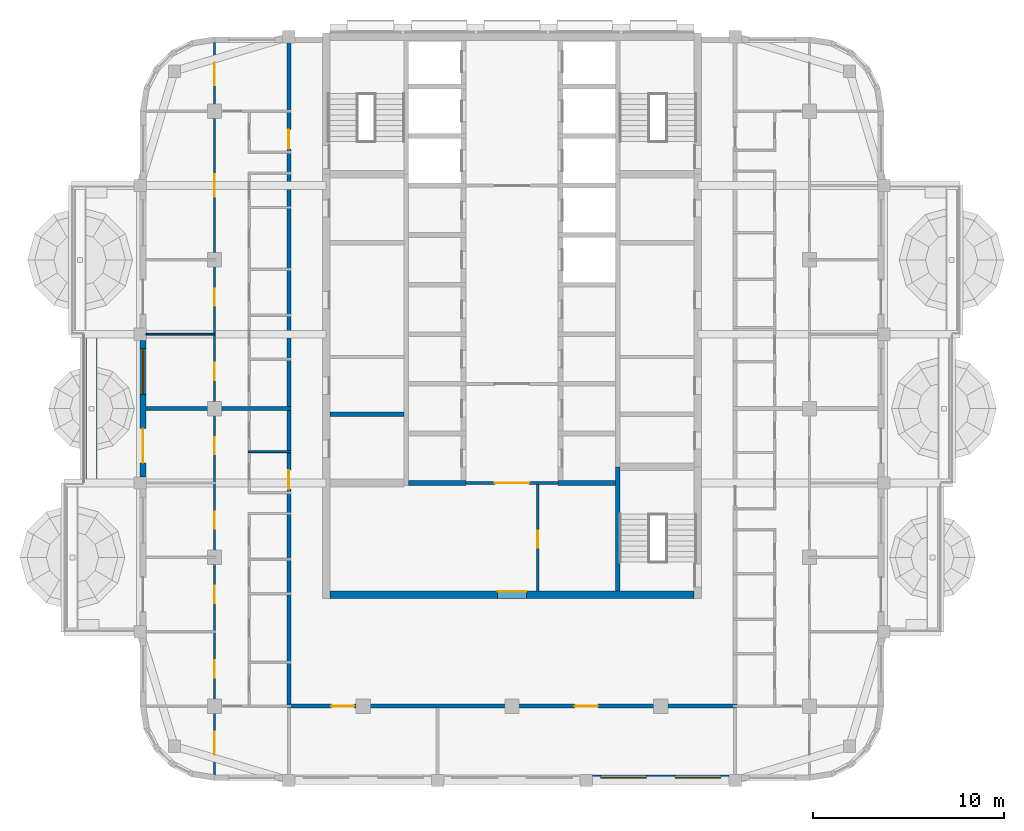
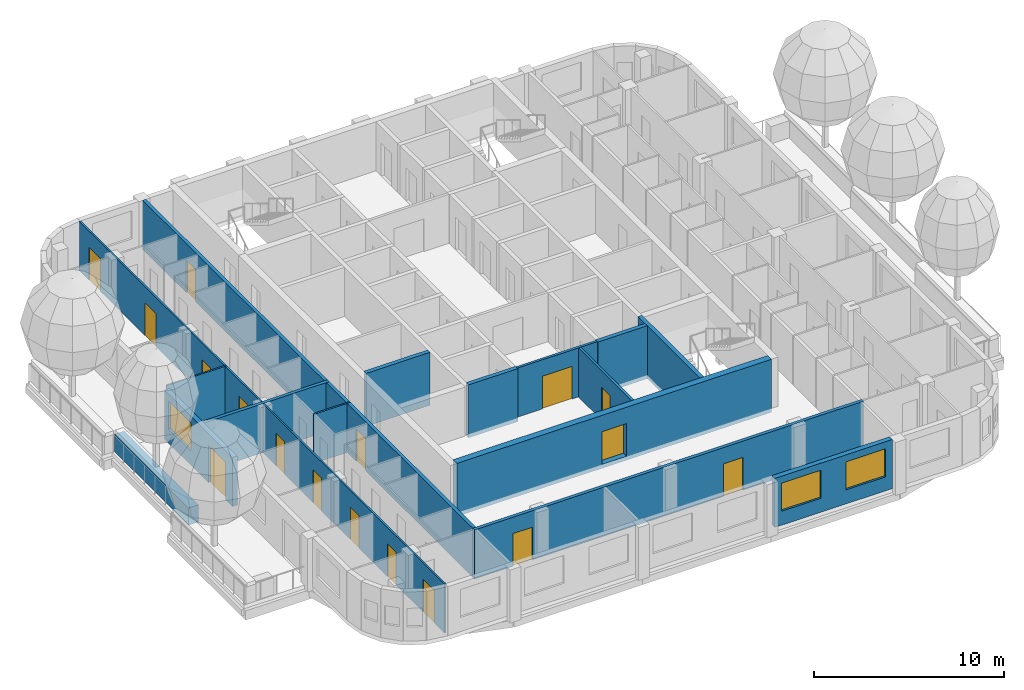
# One storey, part 3 of 13: 17 doors, 16 walls, 3 windows, 20 openings.
"""IFC4 building model written with IfcOpenShell, lengths in metres."""

from ifc_helpers import new_model, si_unit, direction, frame, frame_2d, origin, place, context, subcontext, project, spatial, rectangle, extrude, material, layer, layer_set, type_object, element, fill, save


model = new_model("IFC4")

# Units and contexts
model_context = context("Model", 3, precision=1e-05, world=origin(), true_north=direction((0.0, 1.0)))
body_context = subcontext(model_context, "Body", "Model", "MODEL_VIEW")
ifc_project = project(units=[si_unit("LENGTHUNIT", "METRE"), si_unit("AREAUNIT", "SQUARE_METRE"), si_unit("VOLUMEUNIT", "CUBIC_METRE"), si_unit("PLANEANGLEUNIT", "RADIAN"), si_unit("MASSUNIT", "GRAM", prefix="KILO")], contexts=[model_context])

# Site, building, storey
site_placement = place(None, origin())
site = spatial("IfcSite", under=ifc_project, at=site_placement, CompositionType="ELEMENT")
building_placement = place(site_placement, origin())
building = spatial("IfcBuilding", under=site, at=building_placement, Name="Ludao Terraces", CompositionType="ELEMENT")
storey_placement = place(building_placement, frame((0.0, 0.0, 259.60009765625)))
storey = spatial("IfcBuildingStorey", under=building, at=storey_placement, Name="L71", CompositionType="ELEMENT", Elevation=259.60009765625)

# Wall, opening, door
ifc_material_1 = material(Name="Concrete C50", Category="concrete")
ifc_layer_1 = layer(ifc_material_1, 0.39990234375)
ifc_layer_set_1 = layer_set([ifc_layer_1], Name="Core wall 400 C50")
wall_type_1 = type_object("IfcWallType", Name="Core wall 400 C50", PredefinedType="SOLIDWALL", material=ifc_layer_set_1)
wall_1_placement = place(storey_placement, frame((75.449951171875, 55.25, -0.25), z_axis=(0.0, 0.0, 1.0), x_axis=(1.0, 0.0, 0.0)))
wall_1 = element("IfcWall", 1, at=wall_1_placement, inside=storey, type_object=wall_type_1, Name="Core wall L71 outer-S", PredefinedType="SOLIDWALL", context=body_context, shape_type="SweptSolid", body=[
    extrude(rectangle(XDim=19.10009765625, YDim=0.39990234375, at=frame_2d((9.550048828125, 0.0))), origin(), (0.0, 0.0, 1.0), 3.39990234375),
])
opening_1_placement = place(wall_1_placement, frame((8.800048828125, 0.0, 0.25)))
opening_1 = element("IfcOpeningElement", 2, at=opening_1_placement, cuts=wall_1, Name="Opening R26-015", PredefinedType="OPENING", context=body_context, shape_type="SweptSolid", body=[
    extrude(rectangle(XDim=1.5, YDim=2.10009765625, at=frame_2d((0.75, 1.050048828125))), frame((0.0, 0.2099609375, 0.0), z_axis=(0.0, -1.0, 0.0), x_axis=(1.0, 0.0, 0.0)), (0.0, 0.0, 1.0), 0.419921875),
])
ifc_material_2 = material(Name="Steel Q235", Category="steel")
door_type_1 = type_object("IfcDoorType", Name="INT Lobby door 1500", OperationType="DOUBLE_DOOR_SINGLE_SWING", PredefinedType="DOOR", material=ifc_material_2)
door_1_placement = place(opening_1_placement, origin())
door_1 = element("IfcDoor", 3, at=door_1_placement, inside=storey, type_object=door_type_1, Name="DOOR 015", OperationType="DOUBLE_DOOR_SINGLE_SWING", OverallHeight=2.10009765625, OverallWidth=1.5, PredefinedType="DOOR", context=body_context, shape_type="SweptSolid", body=[
    extrude(rectangle(XDim=1.5, YDim=2.10009765625, at=frame_2d((0.75, 1.050048828125))), frame((0.0, 0.18505859375, 0.0), z_axis=(0.0, -1.0, 0.0), x_axis=(1.0, 0.0, 0.0)), (0.0, 0.0, 1.0), 0.050048828125),
])
fill(opening_1, door_1)

# Wall
ifc_material_3 = material(Name="Concrete C40", Category="concrete")
ifc_layer_2 = layer(ifc_material_3, 0.60009765625)
ifc_layer_set_2 = layer_set([ifc_layer_2], Name="ENV Planter trough 600")
wall_type_2 = type_object("IfcWallType", Name="ENV Planter trough 600", PredefinedType="USERDEFINED", material=ifc_layer_set_2)
wall_2_placement = place(storey_placement, frame((62.949951171875, 61.10009765625, 0.0), z_axis=(0.0, 0.0, 1.0), x_axis=(0.0, 1.0, 0.0)))
element("IfcWall", 4, at=wall_2_placement, inside=storey, type_object=wall_type_2, Name="PL-L71-W2", ObjectType="PLANTER", PredefinedType="USERDEFINED", context=body_context, shape_type="SweptSolid", body=[
    extrude(rectangle(XDim=7.7998046875, YDim=0.60009765625, at=frame_2d((3.89990234375, 0.0))), origin(), (0.0, 0.0, 1.0), 1.099853515625),
])

# Wall, openings, windows
ifc_material_4 = material(Name="Granite cladding", Category="masonry")
ifc_layer_3 = layer(ifc_material_4, 0.0400390625, Category="stone")
ifc_material_5 = material(Name="Mineral wool")
ifc_layer_4 = layer(ifc_material_5, 0.06005859375)
ifc_layer_5 = layer(ifc_material_3, 0.199951171875, Category="concrete")
ifc_layer_set_3 = layer_set([ifc_layer_3, ifc_layer_4, ifc_layer_5], Name="ENV Stone-clad wall 300")
wall_type_3 = type_object("IfcWallType", Name="ENV Stone-clad wall 300", PredefinedType="SOLIDWALL", material=ifc_layer_set_3)
wall_3_placement = place(storey_placement, frame((89.22509765625, 45.64990234375, 0.0), z_axis=(0.0, 0.0, 1.0), x_axis=(1.0, 0.0, 0.0)))
wall_3 = element("IfcWall", 5, at=wall_3_placement, inside=storey, type_object=wall_type_3, Name="EW-L71-S4", PredefinedType="SOLIDWALL", context=body_context, shape_type="SweptSolid", body=[
    extrude(rectangle(XDim=7.14990234375, YDim=0.300048828125, at=frame_2d((3.574951171875, 0.0))), origin(), (0.0, 0.0, 1.0), 3.14990234375),
])
opening_2_placement = place(wall_3_placement, frame((0.425048828125, 0.0, 0.89990234375)))
opening_2 = element("IfcOpeningElement", 6, at=opening_2_placement, cuts=wall_3, Name="Opening W1", PredefinedType="OPENING", context=body_context, shape_type="SweptSolid", body=[
    extrude(rectangle(XDim=2.39990234375, YDim=1.800048828125, at=frame_2d((1.199951171875, 0.89990234375))), frame((0.0, 0.16015625, 0.0), z_axis=(0.0, -1.0, 0.0), x_axis=(1.0, 0.0, 0.0)), (0.0, 0.0, 1.0), 0.320068359375),
])
opening_3_placement = place(wall_3_placement, frame((4.324951171875, 0.0, 0.89990234375)))
opening_3 = element("IfcOpeningElement", 7, at=opening_3_placement, cuts=wall_3, Name="Opening W1", PredefinedType="OPENING", context=body_context, shape_type="SweptSolid", body=[
    extrude(rectangle(XDim=2.39990234375, YDim=1.800048828125, at=frame_2d((1.199951171875, 0.89990234375))), frame((0.0, 0.16015625, 0.0), z_axis=(0.0, -1.0, 0.0), x_axis=(1.0, 0.0, 0.0)), (0.0, 0.0, 1.0), 0.320068359375),
])
ifc_material_6 = material(Name="Clear glass in aluminium frame", Category="aluminium")
ifc_layer_6 = layer(ifc_material_6, 0.06005859375)
ifc_layer_set_4 = layer_set([ifc_layer_6], Name="ENV Window W1 2400x1800")
window_type = type_object("IfcWindowType", Name="ENV Window W1 2400x1800", PartitioningType="DOUBLE_PANEL_VERTICAL", PredefinedType="WINDOW", material=ifc_layer_set_4)
window_1_placement = place(opening_2_placement, origin())
window_1 = element("IfcWindow", 8, at=window_1_placement, inside=storey, type_object=window_type, Name="W-L71-S4-1", OverallHeight=1.800048828125, OverallWidth=2.39990234375, PartitioningType="DOUBLE_PANEL_VERTICAL", PredefinedType="WINDOW", context=body_context, shape_type="SweptSolid", body=[
    extrude(rectangle(XDim=2.39990234375, YDim=1.800048828125, at=frame_2d((1.199951171875, 0.89990234375))), frame((0.0, 0.030029296875, 0.0), z_axis=(0.0, -1.0, 0.0), x_axis=(1.0, 0.0, 0.0)), (0.0, 0.0, 1.0), 0.06005859375),
])
fill(opening_2, window_1)
window_2_placement = place(opening_3_placement, origin())
window_2 = element("IfcWindow", 9, at=window_2_placement, inside=storey, type_object=window_type, Name="W-L71-S4-2", OverallHeight=1.800048828125, OverallWidth=2.39990234375, PartitioningType="DOUBLE_PANEL_VERTICAL", PredefinedType="WINDOW", context=body_context, shape_type="SweptSolid", body=[
    extrude(rectangle(XDim=2.39990234375, YDim=1.800048828125, at=frame_2d((1.199951171875, 0.89990234375))), frame((0.0, 0.030029296875, 0.0), z_axis=(0.0, -1.0, 0.0), x_axis=(1.0, 0.0, 0.0)), (0.0, 0.0, 1.0), 0.06005859375),
])
fill(opening_3, window_2)

# Wall, openings, door, window
wall_4_placement = place(storey_placement, frame((65.64990234375, 61.425048828125, 0.0), z_axis=(0.0, 0.0, 1.0), x_axis=(0.0, 1.0, 0.0)))
wall_4 = element("IfcWall", 10, at=wall_4_placement, inside=storey, type_object=wall_type_3, Name="EW-L71-W3", PredefinedType="SOLIDWALL", context=body_context, shape_type="SweptSolid", body=[
    extrude(rectangle(XDim=7.14990234375, YDim=0.300048828125, at=frame_2d((3.574951171875, 0.0))), origin(), (0.0, 0.0, 1.0), 3.14990234375),
])
opening_4_placement = place(wall_4_placement, frame((0.72509765625, 0.0, 0.0)))
opening_4 = element("IfcOpeningElement", 11, at=opening_4_placement, cuts=wall_4, Name="Opening BD", PredefinedType="OPENING", context=body_context, shape_type="SweptSolid", body=[
    extrude(rectangle(XDim=1.800048828125, YDim=2.39990234375, at=frame_2d((0.89990234375, 1.199951171875))), frame((0.0, 0.16015625, 0.0), z_axis=(0.0, -1.0, 0.0), x_axis=(1.0, 0.0, 0.0)), (0.0, 0.0, 1.0), 0.320068359375),
])
opening_5_placement = place(wall_4_placement, frame((4.324951171875, 0.0, 0.89990234375)))
opening_5 = element("IfcOpeningElement", 12, at=opening_5_placement, cuts=wall_4, Name="Opening W1", PredefinedType="OPENING", context=body_context, shape_type="SweptSolid", body=[
    extrude(rectangle(XDim=2.39990234375, YDim=1.800048828125, at=frame_2d((1.199951171875, 0.89990234375))), frame((0.0, 0.16015625, 0.0), z_axis=(0.0, -1.0, 0.0), x_axis=(1.0, 0.0, 0.0)), (0.0, 0.0, 1.0), 0.320068359375),
])
ifc_material_7 = material(Name="Aluminium glazed door", Category="aluminium")
ifc_layer_7 = layer(ifc_material_7, 0.06005859375)
ifc_layer_set_5 = layer_set([ifc_layer_7], Name="ENV Balcony door BD 1800x2400")
door_type_2 = type_object("IfcDoorType", Name="ENV Balcony door BD 1800x2400", OperationType="DOUBLE_DOOR_SINGLE_SWING", PredefinedType="DOOR", material=ifc_layer_set_5)
door_2_placement = place(opening_4_placement, origin())
door_2 = element("IfcDoor", 13, at=door_2_placement, inside=storey, type_object=door_type_2, Name="BD-L71-W3-1", OperationType="DOUBLE_DOOR_SINGLE_SWING", OverallHeight=2.39990234375, OverallWidth=1.800048828125, PredefinedType="DOOR", context=body_context, shape_type="SweptSolid", body=[
    extrude(rectangle(XDim=1.800048828125, YDim=2.39990234375, at=frame_2d((0.89990234375, 1.199951171875))), frame((0.0, 0.02490234375, 0.0), z_axis=(0.0, -1.0, 0.0), x_axis=(1.0, 0.0, 0.0)), (0.0, 0.0, 1.0), 0.050048828125),
])
fill(opening_4, door_2)
window_3_placement = place(opening_5_placement, origin())
window_3 = element("IfcWindow", 14, at=window_3_placement, inside=storey, type_object=window_type, Name="W-L71-W3-2", OverallHeight=1.800048828125, OverallWidth=2.39990234375, PartitioningType="DOUBLE_PANEL_VERTICAL", PredefinedType="WINDOW", context=body_context, shape_type="SweptSolid", body=[
    extrude(rectangle(XDim=2.39990234375, YDim=1.800048828125, at=frame_2d((1.199951171875, 0.89990234375))), frame((0.0, 0.030029296875, 0.0), z_axis=(0.0, -1.0, 0.0), x_axis=(1.0, 0.0, 0.0)), (0.0, 0.0, 1.0), 0.06005859375),
])
fill(opening_5, window_3)

# Wall, opening, door
ifc_material_8 = material(Name="Fire-rated gypsum plasterboard", Category="gypsum")
ifc_layer_8 = layer(ifc_material_8, 0.012451171875, Category="gypsum")
ifc_layer_9 = layer(ifc_material_5, 0.10009765625, Name="insulation")
ifc_layer_10 = layer(ifc_material_2, 0.02490234375, Name="stud")
ifc_layer_11 = layer(ifc_material_8, 0.012451171875, Category="gypsum")
ifc_layer_set_6 = layer_set([ifc_layer_8, ifc_layer_9, ifc_layer_10, ifc_layer_11], Name="INT Core partition 150")
wall_type_4 = type_object("IfcWallType", Name="INT Core partition 150", PredefinedType="PARTITIONING", material=ifc_layer_set_6)
wall_5_placement = place(storey_placement, frame((82.5751953125, 61.10009765625, 0.0), z_axis=(0.0, 0.0, 1.0), x_axis=(1.0, 0.0, 0.0)))
wall_5 = element("IfcWall", 15, at=wall_5_placement, inside=storey, type_object=wall_type_4, Name="PW-L71-PW018", PredefinedType="PARTITIONING", context=body_context, shape_type="SweptSolid", body=[
    extrude(rectangle(XDim=4.849853515625, YDim=0.14990234375, at=frame_2d((2.4248046875, 0.0))), origin(), (0.0, 0.0, 1.0), 3.14990234375),
])
opening_6_placement = place(wall_5_placement, frame((1.52490234375, 0.0, 0.0)))
opening_6 = element("IfcOpeningElement", 16, at=opening_6_placement, cuts=wall_5, Name="Opening R26-025", PredefinedType="OPENING", context=body_context, shape_type="SweptSolid", body=[
    extrude(rectangle(XDim=1.800048828125, YDim=2.10009765625, at=frame_2d((0.89990234375, 1.050048828125))), frame((0.0, 0.0849609375, 0.0), z_axis=(0.0, -1.0, 0.0), x_axis=(1.0, 0.0, 0.0)), (0.0, 0.0, 1.0), 0.169921875),
])
door_type_3 = type_object("IfcDoorType", Name="INT Fire lobby door 1800", OperationType="DOUBLE_DOOR_SINGLE_SWING", PredefinedType="DOOR", material=ifc_material_2)
door_3_placement = place(opening_6_placement, origin())
door_3 = element("IfcDoor", 17, at=door_3_placement, inside=storey, type_object=door_type_3, Name="DOOR 025", OperationType="DOUBLE_DOOR_SINGLE_SWING", OverallHeight=2.10009765625, OverallWidth=1.800048828125, PredefinedType="DOOR", context=body_context, shape_type="SweptSolid", body=[
    extrude(rectangle(XDim=1.800048828125, YDim=2.10009765625, at=frame_2d((0.89990234375, 1.050048828125))), frame((0.0, 0.02490234375, 0.0), z_axis=(0.0, -1.0, 0.0), x_axis=(1.0, 0.0, 0.0)), (0.0, 0.0, 1.0), 0.050048828125),
])
fill(opening_6, door_3)

wall_6_placement = place(storey_placement, frame((86.35009765625, 55.4501953125, 0.0), z_axis=(0.0, 0.0, 1.0), x_axis=(0.0, 1.0, 0.0)))
wall_6 = element("IfcWall", 18, at=wall_6_placement, inside=storey, type_object=wall_type_4, Name="PW-L71-PW054", PredefinedType="PARTITIONING", context=body_context, shape_type="SweptSolid", body=[
    extrude(rectangle(XDim=5.574951171875, YDim=0.14990234375, at=frame_2d((2.78759765625, 0.0))), origin(), (0.0, 0.0, 1.0), 3.14990234375),
])
opening_7_placement = place(wall_6_placement, frame((2.25, 0.0, 0.0)))
opening_7 = element("IfcOpeningElement", 19, at=opening_7_placement, cuts=wall_6, Name="Opening R26-020", PredefinedType="OPENING", context=body_context, shape_type="SweptSolid", body=[
    extrude(rectangle(XDim=0.89990234375, YDim=2.10009765625, at=frame_2d((0.449951171875, 1.050048828125))), frame((0.0, 0.0849609375, 0.0), z_axis=(0.0, -1.0, 0.0), x_axis=(1.0, 0.0, 0.0)), (0.0, 0.0, 1.0), 0.169921875),
])
ifc_material_9 = material(Name="Timber door leaf", Category="wood")
door_type_4 = type_object("IfcDoorType", Name="INT Room door 900", OperationType="SINGLE_SWING_LEFT", PredefinedType="DOOR", material=ifc_material_9)
door_4_placement = place(opening_7_placement, origin())
door_4 = element("IfcDoor", 20, at=door_4_placement, inside=storey, type_object=door_type_4, Name="DOOR 020", OperationType="SINGLE_SWING_RIGHT", OverallHeight=2.10009765625, OverallWidth=0.89990234375, PredefinedType="DOOR", context=body_context, shape_type="SweptSolid", body=[
    extrude(rectangle(XDim=0.89990234375, YDim=2.10009765625, at=frame_2d((0.449951171875, 1.050048828125))), frame((0.0, 0.02490234375, 0.0), z_axis=(0.0, -1.0, 0.0), x_axis=(1.0, 0.0, 0.0)), (0.0, 0.0, 1.0), 0.050048828125),
])
fill(opening_7, door_4)

# Wall, openings, doors
ifc_material_10 = material(Name="Autoclaved aerated concrete block B06 A3.5", Category="concrete")
ifc_layer_12 = layer(ifc_material_10, 0.199951171875)
ifc_layer_set_7 = layer_set([ifc_layer_12], Name="INT Entrance wall 200")
wall_type_5 = type_object("IfcWallType", Name="INT Entrance wall 200", PredefinedType="PARTITIONING", material=ifc_layer_set_7)
wall_7_placement = place(storey_placement, frame((73.2001953125, 49.39990234375, 0.0), z_axis=(0.0, 0.0, 1.0), x_axis=(1.0, 0.0, 0.0)))
wall_7 = element("IfcWall", 21, at=wall_7_placement, inside=storey, type_object=wall_type_5, Name="PW-L71-PW001", PredefinedType="PARTITIONING", context=body_context, shape_type="SweptSolid", body=[
    extrude(rectangle(XDim=23.599853515625, YDim=0.199951171875, at=frame_2d((11.7998046875, 0.0))), origin(), (0.0, 0.0, 1.0), 3.14990234375),
])
opening_8_placement = place(wall_7_placement, frame((2.324951171875, 0.0, 0.0)))
opening_8 = element("IfcOpeningElement", 22, at=opening_8_placement, cuts=wall_7, Name="Opening R26-004", PredefinedType="OPENING", context=body_context, shape_type="SweptSolid", body=[
    extrude(rectangle(XDim=1.199951171875, YDim=2.10009765625, at=frame_2d((0.60009765625, 1.050048828125))), frame((0.0, 0.10986328125, 0.0), z_axis=(0.0, -1.0, 0.0), x_axis=(1.0, 0.0, 0.0)), (0.0, 0.0, 1.0), 0.219970703125),
])
opening_9_placement = place(wall_7_placement, frame((15.099853515625, 0.0, 0.0)))
opening_9 = element("IfcOpeningElement", 23, at=opening_9_placement, cuts=wall_7, Name="Opening R26-005", PredefinedType="OPENING", context=body_context, shape_type="SweptSolid", body=[
    extrude(rectangle(XDim=1.199951171875, YDim=2.10009765625, at=frame_2d((0.60009765625, 1.050048828125))), frame((0.0, 0.10986328125, 0.0), z_axis=(0.0, -1.0, 0.0), x_axis=(1.0, 0.0, 0.0)), (0.0, 0.0, 1.0), 0.219970703125),
])
door_type_5 = type_object("IfcDoorType", Name="INT Double door 1200", OperationType="DOUBLE_DOOR_SINGLE_SWING", PredefinedType="DOOR", material=ifc_material_9)
door_5_placement = place(opening_8_placement, origin())
door_5 = element("IfcDoor", 24, at=door_5_placement, inside=storey, type_object=door_type_5, Name="DOOR 004", OperationType="DOUBLE_DOOR_SINGLE_SWING", OverallHeight=2.10009765625, OverallWidth=1.199951171875, PredefinedType="DOOR", context=body_context, shape_type="SweptSolid", body=[
    extrude(rectangle(XDim=1.199951171875, YDim=2.10009765625, at=frame_2d((0.60009765625, 1.050048828125))), frame((0.0, 0.02490234375, 0.0), z_axis=(0.0, -1.0, 0.0), x_axis=(1.0, 0.0, 0.0)), (0.0, 0.0, 1.0), 0.050048828125),
])
fill(opening_8, door_5)
door_6_placement = place(opening_9_placement, origin())
door_6 = element("IfcDoor", 25, at=door_6_placement, inside=storey, type_object=door_type_5, Name="DOOR 005", OperationType="DOUBLE_DOOR_SINGLE_SWING", OverallHeight=2.10009765625, OverallWidth=1.199951171875, PredefinedType="DOOR", context=body_context, shape_type="SweptSolid", body=[
    extrude(rectangle(XDim=1.199951171875, YDim=2.10009765625, at=frame_2d((0.60009765625, 1.050048828125))), frame((0.0, 0.02490234375, 0.0), z_axis=(0.0, -1.0, 0.0), x_axis=(1.0, 0.0, 0.0)), (0.0, 0.0, 1.0), 0.050048828125),
])
fill(opening_9, door_6)

wall_8_placement = place(storey_placement, frame((73.300048828125, 49.5, 0.0), z_axis=(0.0, 0.0, 1.0), x_axis=(0.0, 1.0, 0.0)))
wall_8 = element("IfcWall", 26, at=wall_8_placement, inside=storey, type_object=wall_type_5, Name="PW-L71-PW052", PredefinedType="PARTITIONING", context=body_context, shape_type="SweptSolid", body=[
    extrude(rectangle(XDim=34.7001953125, YDim=0.199951171875, at=frame_2d((17.35009765625, 0.0))), origin(), (0.0, 0.0, 1.0), 3.14990234375),
])
opening_10_placement = place(wall_8_placement, frame((11.275146484375, 0.0, 0.0)))
opening_10 = element("IfcOpeningElement", 27, at=opening_10_placement, cuts=wall_8, Name="Opening R26-027", PredefinedType="OPENING", context=body_context, shape_type="SweptSolid", body=[
    extrude(rectangle(XDim=1.0, YDim=2.10009765625, at=frame_2d((0.5, 1.050048828125))), frame((0.0, 0.10986328125, 0.0), z_axis=(0.0, -1.0, 0.0), x_axis=(1.0, 0.0, 0.0)), (0.0, 0.0, 1.0), 0.219970703125),
])
opening_11_placement = place(wall_8_placement, frame((29.125, 0.0, 0.0)))
opening_11 = element("IfcOpeningElement", 28, at=opening_11_placement, cuts=wall_8, Name="Opening R26-076", PredefinedType="OPENING", context=body_context, shape_type="SweptSolid", body=[
    extrude(rectangle(XDim=1.0, YDim=2.10009765625, at=frame_2d((0.5, 1.050048828125))), frame((0.0, 0.10986328125, 0.0), z_axis=(0.0, -1.0, 0.0), x_axis=(1.0, 0.0, 0.0)), (0.0, 0.0, 1.0), 0.219970703125),
])
door_type_6 = type_object("IfcDoorType", Name="INT Flat entrance door 1000", OperationType="SINGLE_SWING_LEFT", PredefinedType="DOOR", material=ifc_material_2)
door_7_placement = place(opening_10_placement, origin())
door_7 = element("IfcDoor", 29, at=door_7_placement, inside=storey, type_object=door_type_6, Name="DOOR 027", OperationType="SINGLE_SWING_RIGHT", OverallHeight=2.10009765625, OverallWidth=1.0, PredefinedType="DOOR", context=body_context, shape_type="SweptSolid", body=[
    extrude(rectangle(XDim=1.0, YDim=2.10009765625, at=frame_2d((0.5, 1.050048828125))), frame((0.0, 0.02490234375, 0.0), z_axis=(0.0, -1.0, 0.0), x_axis=(1.0, 0.0, 0.0)), (0.0, 0.0, 1.0), 0.050048828125),
])
fill(opening_10, door_7)
door_8_placement = place(opening_11_placement, origin())
door_8 = element("IfcDoor", 30, at=door_8_placement, inside=storey, type_object=door_type_6, Name="DOOR 076", OperationType="SINGLE_SWING_RIGHT", OverallHeight=2.10009765625, OverallWidth=1.0, PredefinedType="DOOR", context=body_context, shape_type="SweptSolid", body=[
    extrude(rectangle(XDim=1.0, YDim=2.10009765625, at=frame_2d((0.5, 1.050048828125))), frame((0.0, 0.02490234375, 0.0), z_axis=(0.0, -1.0, 0.0), x_axis=(1.0, 0.0, 0.0)), (0.0, 0.0, 1.0), 0.050048828125),
])
fill(opening_11, door_8)

# Walls
ifc_material_11 = material(Name="Gypsum plasterboard", Category="gypsum")
ifc_layer_13 = layer(ifc_material_11, 0.012451171875, Category="gypsum")
ifc_layer_14 = layer(ifc_material_5, 0.06005859375, Name="insulation")
ifc_layer_15 = layer(ifc_material_2, 0.014892578125, Name="stud")
ifc_layer_16 = layer(ifc_material_11, 0.012451171875, Category="gypsum")
ifc_layer_set_8 = layer_set([ifc_layer_13, ifc_layer_14, ifc_layer_15, ifc_layer_16], Name="INT Partition 100")
wall_type_6 = type_object("IfcWallType", Name="INT Partition 100", PredefinedType="PARTITIONING", material=ifc_layer_set_8)
wall_9_placement = place(storey_placement, frame((71.18017578125, 62.75, 0.0), z_axis=(0.0, 0.0, 1.0), x_axis=(1.0, 0.0, 0.0)))
element("IfcWall", 31, at=wall_9_placement, inside=storey, type_object=wall_type_6, Name="PW-L71-PW021", PredefinedType="PARTITIONING", context=body_context, shape_type="SweptSolid", body=[
    extrude(rectangle(XDim=2.219970703125, YDim=0.10009765625, at=frame_2d((1.10986328125, 0.0))), origin(), (0.0, 0.0, 1.0), 3.14990234375),
])
wall_10_placement = place(storey_placement, frame((65.800048828125, 68.89990234375, 0.0), z_axis=(0.0, 0.0, 1.0), x_axis=(1.0, 0.0, 0.0)))
element("IfcWall", 32, at=wall_10_placement, inside=storey, type_object=wall_type_6, Name="PW-L71-PW029", PredefinedType="PARTITIONING", context=body_context, shape_type="SweptSolid", body=[
    extrude(rectangle(XDim=3.650146484375, YDim=0.10009765625, at=frame_2d((1.8251953125, 0.0))), origin(), (0.0, 0.0, 1.0), 3.14990234375),
])

# Wall, openings, doors
wall_11_placement = place(storey_placement, frame((69.39990234375, 45.800048828125, 0.0), z_axis=(0.0, 0.0, 1.0), x_axis=(0.0, 1.0, 0.0)))
wall_11 = element("IfcWall", 33, at=wall_11_placement, inside=storey, type_object=wall_type_6, Name="PW-L71-PW047", PredefinedType="PARTITIONING", context=body_context, shape_type="SweptSolid", body=[
    extrude(rectangle(XDim=38.400146484375, YDim=0.10009765625, at=frame_2d((19.2001953125, 0.0))), origin(), (0.0, 0.0, 1.0), 3.14990234375),
])
opening_12_placement = place(wall_11_placement, frame((1.050048828125, 0.0, 0.0)))
opening_12 = element("IfcOpeningElement", 34, at=opening_12_placement, cuts=wall_11, Name="Opening R26-001", PredefinedType="OPENING", context=body_context, shape_type="SweptSolid", body=[
    extrude(rectangle(XDim=1.199951171875, YDim=2.10009765625, at=frame_2d((0.60009765625, 1.050048828125))), frame((0.0, 0.06005859375, 0.0), z_axis=(0.0, -1.0, 0.0), x_axis=(1.0, 0.0, 0.0)), (0.0, 0.0, 1.0), 0.1201171875),
])
opening_13_placement = place(wall_11_placement, frame((5.10009765625, 0.0, 0.0)))
opening_13 = element("IfcOpeningElement", 35, at=opening_13_placement, cuts=wall_11, Name="Opening R26-009", PredefinedType="OPENING", context=body_context, shape_type="SweptSolid", body=[
    extrude(rectangle(XDim=0.89990234375, YDim=2.10009765625, at=frame_2d((0.449951171875, 1.050048828125))), frame((0.0, 0.06005859375, 0.0), z_axis=(0.0, -1.0, 0.0), x_axis=(1.0, 0.0, 0.0)), (0.0, 0.0, 1.0), 0.1201171875),
])
opening_14_placement = place(wall_11_placement, frame((9.0, 0.0, 0.0)))
opening_14 = element("IfcOpeningElement", 36, at=opening_14_placement, cuts=wall_11, Name="Opening R26-014", PredefinedType="OPENING", context=body_context, shape_type="SweptSolid", body=[
    extrude(rectangle(XDim=0.89990234375, YDim=2.10009765625, at=frame_2d((0.449951171875, 1.050048828125))), frame((0.0, 0.06005859375, 0.0), z_axis=(0.0, -1.0, 0.0), x_axis=(1.0, 0.0, 0.0)), (0.0, 0.0, 1.0), 0.1201171875),
])
opening_15_placement = place(wall_11_placement, frame((12.89990234375, 0.0, 0.0)))
opening_15 = element("IfcOpeningElement", 37, at=opening_15_placement, cuts=wall_11, Name="Opening R26-022", PredefinedType="OPENING", context=body_context, shape_type="SweptSolid", body=[
    extrude(rectangle(XDim=0.89990234375, YDim=2.10009765625, at=frame_2d((0.449951171875, 1.050048828125))), frame((0.0, 0.06005859375, 0.0), z_axis=(0.0, -1.0, 0.0), x_axis=(1.0, 0.0, 0.0)), (0.0, 0.0, 1.0), 0.1201171875),
])
opening_16_placement = place(wall_11_placement, frame((16.800048828125, 0.0, 0.0)))
opening_16 = element("IfcOpeningElement", 38, at=opening_16_placement, cuts=wall_11, Name="Opening R26-032", PredefinedType="OPENING", context=body_context, shape_type="SweptSolid", body=[
    extrude(rectangle(XDim=0.89990234375, YDim=2.10009765625, at=frame_2d((0.449951171875, 1.050048828125))), frame((0.0, 0.06005859375, 0.0), z_axis=(0.0, -1.0, 0.0), x_axis=(1.0, 0.0, 0.0)), (0.0, 0.0, 1.0), 0.1201171875),
])
opening_17_placement = place(wall_11_placement, frame((20.699951171875, 0.0, 0.0)))
opening_17 = element("IfcOpeningElement", 39, at=opening_17_placement, cuts=wall_11, Name="Opening R26-044", PredefinedType="OPENING", context=body_context, shape_type="SweptSolid", body=[
    extrude(rectangle(XDim=0.89990234375, YDim=2.10009765625, at=frame_2d((0.449951171875, 1.050048828125))), frame((0.0, 0.06005859375, 0.0), z_axis=(0.0, -1.0, 0.0), x_axis=(1.0, 0.0, 0.0)), (0.0, 0.0, 1.0), 0.1201171875),
])
opening_18_placement = place(wall_11_placement, frame((24.60009765625, 0.0, 0.0)))
opening_18 = element("IfcOpeningElement", 40, at=opening_18_placement, cuts=wall_11, Name="Opening R26-055", PredefinedType="OPENING", context=body_context, shape_type="SweptSolid", body=[
    extrude(rectangle(XDim=0.89990234375, YDim=2.10009765625, at=frame_2d((0.449951171875, 1.050048828125))), frame((0.0, 0.06005859375, 0.0), z_axis=(0.0, -1.0, 0.0), x_axis=(1.0, 0.0, 0.0)), (0.0, 0.0, 1.0), 0.1201171875),
])
opening_19_placement = place(wall_11_placement, frame((30.300048828125, 0.0, 0.0)))
opening_19 = element("IfcOpeningElement", 41, at=opening_19_placement, cuts=wall_11, Name="Opening R26-069", PredefinedType="OPENING", context=body_context, shape_type="SweptSolid", body=[
    extrude(rectangle(XDim=1.199951171875, YDim=2.10009765625, at=frame_2d((0.60009765625, 1.050048828125))), frame((0.0, 0.06005859375, 0.0), z_axis=(0.0, -1.0, 0.0), x_axis=(1.0, 0.0, 0.0)), (0.0, 0.0, 1.0), 0.1201171875),
])
opening_20_placement = place(wall_11_placement, frame((36.14990234375, 0.0, 0.0)))
opening_20 = element("IfcOpeningElement", 42, at=opening_20_placement, cuts=wall_11, Name="Opening R26-084", PredefinedType="OPENING", context=body_context, shape_type="SweptSolid", body=[
    extrude(rectangle(XDim=1.199951171875, YDim=2.10009765625, at=frame_2d((0.60009765625, 1.050048828125))), frame((0.0, 0.06005859375, 0.0), z_axis=(0.0, -1.0, 0.0), x_axis=(1.0, 0.0, 0.0)), (0.0, 0.0, 1.0), 0.1201171875),
])
door_9_placement = place(opening_12_placement, origin())
door_9 = element("IfcDoor", 43, at=door_9_placement, inside=storey, type_object=door_type_5, Name="DOOR 001", OperationType="DOUBLE_DOOR_SINGLE_SWING", OverallHeight=2.10009765625, OverallWidth=1.199951171875, PredefinedType="DOOR", context=body_context, shape_type="SweptSolid", body=[
    extrude(rectangle(XDim=1.199951171875, YDim=2.10009765625, at=frame_2d((0.60009765625, 1.050048828125))), frame((0.0, 0.02490234375, 0.0), z_axis=(0.0, -1.0, 0.0), x_axis=(1.0, 0.0, 0.0)), (0.0, 0.0, 1.0), 0.050048828125),
])
fill(opening_12, door_9)
door_10_placement = place(opening_19_placement, origin())
door_10 = element("IfcDoor", 44, at=door_10_placement, inside=storey, type_object=door_type_5, Name="DOOR 069", OperationType="DOUBLE_DOOR_SINGLE_SWING", OverallHeight=2.10009765625, OverallWidth=1.199951171875, PredefinedType="DOOR", context=body_context, shape_type="SweptSolid", body=[
    extrude(rectangle(XDim=1.199951171875, YDim=2.10009765625, at=frame_2d((0.60009765625, 1.050048828125))), frame((0.0, 0.02490234375, 0.0), z_axis=(0.0, -1.0, 0.0), x_axis=(1.0, 0.0, 0.0)), (0.0, 0.0, 1.0), 0.050048828125),
])
fill(opening_19, door_10)
door_11_placement = place(opening_20_placement, origin())
door_11 = element("IfcDoor", 45, at=door_11_placement, inside=storey, type_object=door_type_5, Name="DOOR 084", OperationType="DOUBLE_DOOR_SINGLE_SWING", OverallHeight=2.10009765625, OverallWidth=1.199951171875, PredefinedType="DOOR", context=body_context, shape_type="SweptSolid", body=[
    extrude(rectangle(XDim=1.199951171875, YDim=2.10009765625, at=frame_2d((0.60009765625, 1.050048828125))), frame((0.0, 0.02490234375, 0.0), z_axis=(0.0, -1.0, 0.0), x_axis=(1.0, 0.0, 0.0)), (0.0, 0.0, 1.0), 0.050048828125),
])
fill(opening_20, door_11)
door_12_placement = place(opening_13_placement, origin())
door_12 = element("IfcDoor", 46, at=door_12_placement, inside=storey, type_object=door_type_4, Name="DOOR 009", OperationType="SINGLE_SWING_LEFT", OverallHeight=2.10009765625, OverallWidth=0.89990234375, PredefinedType="DOOR", context=body_context, shape_type="SweptSolid", body=[
    extrude(rectangle(XDim=0.89990234375, YDim=2.10009765625, at=frame_2d((0.449951171875, 1.050048828125))), frame((0.0, 0.02490234375, 0.0), z_axis=(0.0, -1.0, 0.0), x_axis=(1.0, 0.0, 0.0)), (0.0, 0.0, 1.0), 0.050048828125),
])
fill(opening_13, door_12)
door_13_placement = place(opening_14_placement, origin())
door_13 = element("IfcDoor", 47, at=door_13_placement, inside=storey, type_object=door_type_4, Name="DOOR 014", OperationType="SINGLE_SWING_LEFT", OverallHeight=2.10009765625, OverallWidth=0.89990234375, PredefinedType="DOOR", context=body_context, shape_type="SweptSolid", body=[
    extrude(rectangle(XDim=0.89990234375, YDim=2.10009765625, at=frame_2d((0.449951171875, 1.050048828125))), frame((0.0, 0.02490234375, 0.0), z_axis=(0.0, -1.0, 0.0), x_axis=(1.0, 0.0, 0.0)), (0.0, 0.0, 1.0), 0.050048828125),
])
fill(opening_14, door_13)
door_14_placement = place(opening_15_placement, origin())
door_14 = element("IfcDoor", 48, at=door_14_placement, inside=storey, type_object=door_type_4, Name="DOOR 022", OperationType="SINGLE_SWING_RIGHT", OverallHeight=2.10009765625, OverallWidth=0.89990234375, PredefinedType="DOOR", context=body_context, shape_type="SweptSolid", body=[
    extrude(rectangle(XDim=0.89990234375, YDim=2.10009765625, at=frame_2d((0.449951171875, 1.050048828125))), frame((0.0, 0.02490234375, 0.0), z_axis=(0.0, -1.0, 0.0), x_axis=(1.0, 0.0, 0.0)), (0.0, 0.0, 1.0), 0.050048828125),
])
fill(opening_15, door_14)
door_15_placement = place(opening_16_placement, origin())
door_15 = element("IfcDoor", 49, at=door_15_placement, inside=storey, type_object=door_type_4, Name="DOOR 032", OperationType="SINGLE_SWING_RIGHT", OverallHeight=2.10009765625, OverallWidth=0.89990234375, PredefinedType="DOOR", context=body_context, shape_type="SweptSolid", body=[
    extrude(rectangle(XDim=0.89990234375, YDim=2.10009765625, at=frame_2d((0.449951171875, 1.050048828125))), frame((0.0, 0.02490234375, 0.0), z_axis=(0.0, -1.0, 0.0), x_axis=(1.0, 0.0, 0.0)), (0.0, 0.0, 1.0), 0.050048828125),
])
fill(opening_16, door_15)
door_16_placement = place(opening_17_placement, origin())
door_16 = element("IfcDoor", 50, at=door_16_placement, inside=storey, type_object=door_type_4, Name="DOOR 044", OperationType="SINGLE_SWING_LEFT", OverallHeight=2.10009765625, OverallWidth=0.89990234375, PredefinedType="DOOR", context=body_context, shape_type="SweptSolid", body=[
    extrude(rectangle(XDim=0.89990234375, YDim=2.10009765625, at=frame_2d((0.449951171875, 1.050048828125))), frame((0.0, 0.02490234375, 0.0), z_axis=(0.0, -1.0, 0.0), x_axis=(1.0, 0.0, 0.0)), (0.0, 0.0, 1.0), 0.050048828125),
])
fill(opening_17, door_16)
door_17_placement = place(opening_18_placement, origin())
door_17 = element("IfcDoor", 51, at=door_17_placement, inside=storey, type_object=door_type_4, Name="DOOR 055", OperationType="SINGLE_SWING_RIGHT", OverallHeight=2.10009765625, OverallWidth=0.89990234375, PredefinedType="DOOR", context=body_context, shape_type="SweptSolid", body=[
    extrude(rectangle(XDim=0.89990234375, YDim=2.10009765625, at=frame_2d((0.449951171875, 1.050048828125))), frame((0.0, 0.02490234375, 0.0), z_axis=(0.0, -1.0, 0.0), x_axis=(1.0, 0.0, 0.0)), (0.0, 0.0, 1.0), 0.050048828125),
])
fill(opening_18, door_17)

# Walls
ifc_layer_17 = layer(ifc_material_10, 0.199951171875)
ifc_layer_set_9 = layer_set([ifc_layer_17], Name="INT Party wall 200")
wall_type_7 = type_object("IfcWallType", Name="INT Party wall 200", PredefinedType="PARTITIONING", material=ifc_layer_set_9)
wall_12_placement = place(storey_placement, frame((65.800048828125, 65.0, 0.0), z_axis=(0.0, 0.0, 1.0), x_axis=(1.0, 0.0, 0.0)))
element("IfcWall", 52, at=wall_12_placement, inside=storey, type_object=wall_type_7, Name="PW-L71-PW022", PredefinedType="PARTITIONING", context=body_context, shape_type="SweptSolid", body=[
    extrude(rectangle(XDim=7.60009765625, YDim=0.199951171875, at=frame_2d((3.800048828125, 0.0))), origin(), (0.0, 0.0, 1.0), 3.14990234375),
])
ifc_layer_18 = layer(ifc_material_1, 0.25)
ifc_layer_set_10 = layer_set([ifc_layer_18], Name="Shaft wall 250 C50")
wall_type_8 = type_object("IfcWallType", Name="Shaft wall 250 C50", PredefinedType="SOLIDWALL", material=ifc_layer_set_10)
wall_13_placement = place(storey_placement, frame((90.550048828125, 55.449951171875, -0.25), z_axis=(0.0, 0.0, 1.0), x_axis=(0.0, 1.0, 0.0)))
element("IfcWall", 53, at=wall_13_placement, inside=storey, type_object=wall_type_8, Name="Core wall L71 back-E-S3", PredefinedType="SOLIDWALL", context=body_context, shape_type="SweptSolid", body=[
    extrude(rectangle(XDim=6.5, YDim=0.25, at=frame_2d((3.25, 0.0))), origin(), (0.0, 0.0, 1.0), 3.39990234375),
])
for number, where, z_axis, x_axis, name in (
    (54, (79.574951171875, 61.10009765625, -0.25), (0.0, 0.0, 1.0), (1.0, 0.0, 0.0), "Core wall L71 div-W1"),
    (55, (87.425048828125, 61.10009765625, -0.25), (0.0, 0.0, 1.0), (1.0, 0.0, 0.0), "Core wall L71 div-E1"),
):
    element("IfcWall", number, at=place(storey_placement, frame(where, z_axis=z_axis, x_axis=x_axis)), inside=storey, type_object=wall_type_8, Name=name, PredefinedType="SOLIDWALL", context=body_context, shape_type="SweptSolid", body=[
        extrude(rectangle(XDim=3.0, YDim=0.25, at=frame_2d((1.5, 0.0))), origin(), (0.0, 0.0, 1.0), 3.39990234375),
    ])
wall_14_placement = place(storey_placement, frame((75.449951171875, 64.699951171875, -0.25), z_axis=(0.0, 0.0, 1.0), x_axis=(1.0, 0.0, 0.0)))
element("IfcWall", 56, at=wall_14_placement, inside=storey, type_object=wall_type_8, Name="Core wall L71 riser-a-W", PredefinedType="SOLIDWALL", context=body_context, shape_type="SweptSolid", body=[
    extrude(rectangle(XDim=3.875, YDim=0.25, at=frame_2d((1.9375, 0.0))), origin(), (0.0, 0.0, 1.0), 3.39990234375),
])

save(model, "model.ifc")
